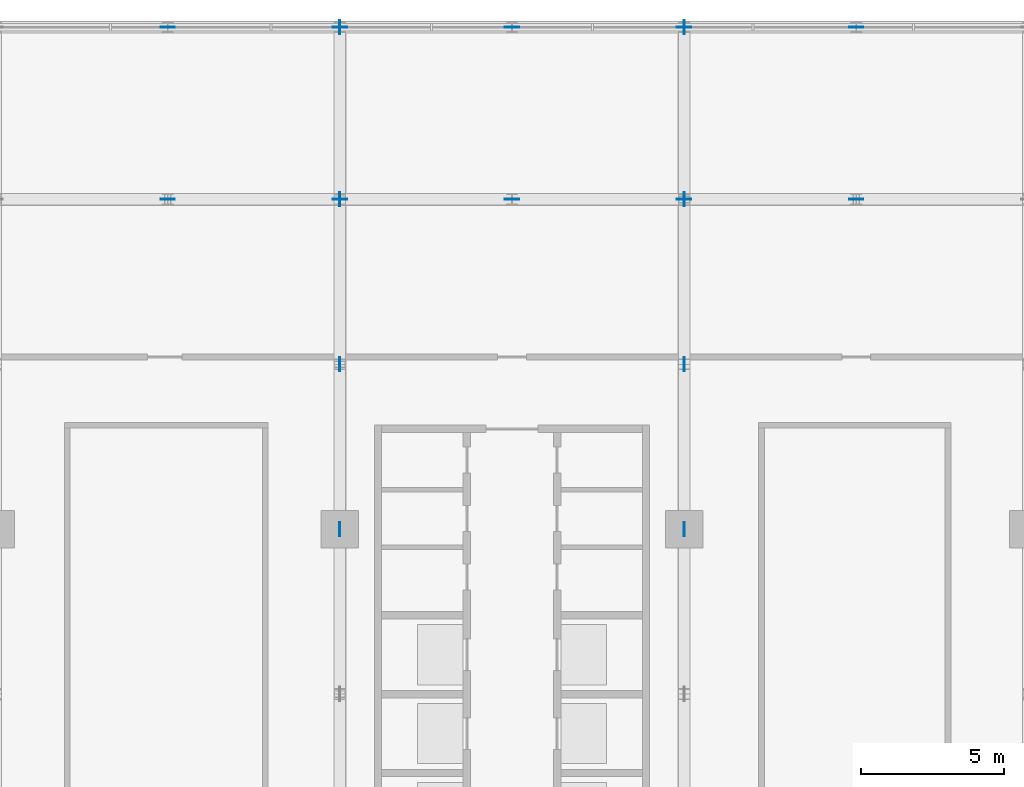
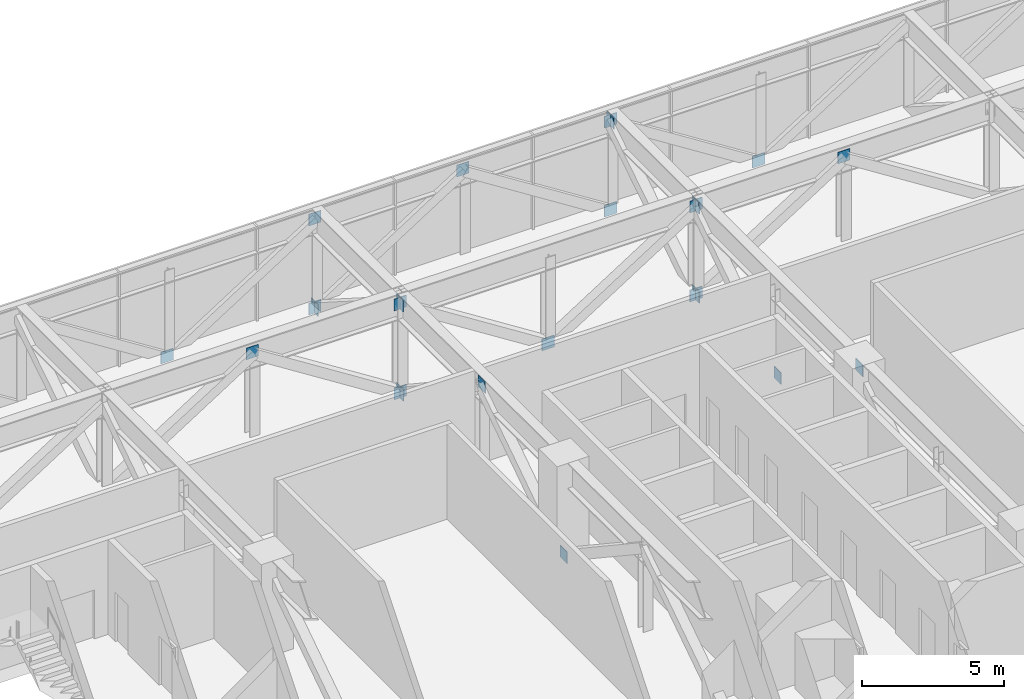
# One storey, part 25 of 30: 24 discrete accessories.
"""IFC4 building model written with IfcOpenShell, lengths in metres."""

import ifcopenshell
import ifcopenshell.guid

model = None  # the IFC model being written
_history = None  # IfcOwnerHistory: only IFC2X3 demands one
_inside = {}  # id of a spatial element -> (the spatial element, [elements in it])
_under = {}  # id of a project, library or spatial element -> (it, [spatial elements below it])
_declared = {}  # id of a project -> (the project, [libraries it declares])
_typed = {}  # id of a type object -> (the type object, [elements of that type])
_made_of = {}  # id of a material, layer set ... -> (it, [elements and type objects made of it])


def new_model(schema):
    """Start an empty IFC model of exactly this schema.

    Asked for "IFC4X3", IfcOpenShell would pick the latest addendum, in which some entities
    have other attributes; the version numbers below select the first issue.
    IFC2X3 requires an IfcOwnerHistory on every rooted entity: one is made here for all.
    """
    global model, _history
    if schema == "IFC4X3":
        model = ifcopenshell.file(schema_version=(4, 3, 0, 0))
    else:
        model = ifcopenshell.file(schema=schema)
    _inside.clear()
    _under.clear()
    _declared.clear()
    _typed.clear()
    _made_of.clear()
    _history = None
    if model.schema == "IFC2X3":
        org = make("IfcOrganization", Name="unknown")
        user = make(
            "IfcPersonAndOrganization",
            ThePerson=make("IfcPerson", FamilyName="unknown"),
            TheOrganization=org,
        )
        app = make(
            "IfcApplication",
            ApplicationDeveloper=org,
            Version="unknown",
            ApplicationFullName="unknown",
            ApplicationIdentifier="unknown",
        )
        _history = make(
            "IfcOwnerHistory",
            OwningUser=user,
            OwningApplication=app,
            ChangeAction="ADDED",
            CreationDate=0,
        )
    return model


def make(cls, **values):
    """One entity of the class cls with the attributes given. An attribute that is None is left unset."""
    return model.create_entity(
        cls, **{name: value for name, value in values.items() if value is not None}
    )


def rooted(cls, **values):
    """An entity with a GlobalId (a new one), such as an element, a storey or a relation."""
    return make(cls, GlobalId=ifcopenshell.guid.new(), OwnerHistory=_history, **values)


def si_unit(unit_type, name, prefix=None):
    """IfcSIUnit, for example si_unit("LENGTHUNIT", "METRE", prefix="MILLI")."""
    return make("IfcSIUnit", UnitType=unit_type, Prefix=prefix, Name=name)


def assignment(units):
    """IfcUnitAssignment: the units of a project."""
    return None if units is None else make("IfcUnitAssignment", Units=units)


def point(xyz):
    """IfcCartesianPoint."""
    return None if xyz is None else make("IfcCartesianPoint", Coordinates=xyz)


def direction(xyz):
    """IfcDirection."""
    return None if xyz is None else make("IfcDirection", DirectionRatios=xyz)


def frame(location, z_axis=None, x_axis=None):
    """IfcAxis2Placement3D, a coordinate frame: its origin and axes. An axis left out is left unset."""
    return make(
        "IfcAxis2Placement3D",
        Location=point(location),
        Axis=direction(z_axis),
        RefDirection=direction(x_axis),
    )


def frame_2d(location, x_axis=None):
    """IfcAxis2Placement2D, a coordinate frame in the plane: its origin and x axis."""
    return make(
        "IfcAxis2Placement2D", Location=point(location), RefDirection=direction(x_axis)
    )


def origin():
    """The frame at (0, 0, 0) with its axes left unset."""
    return frame((0.0, 0.0, 0.0))


def origin_2d():
    """The frame at (0, 0) in the plane with its x axis left unset."""
    return frame_2d((0.0, 0.0))


def place(relative_to, where):
    """IfcLocalPlacement: puts the frame where relative to a parent placement (None: the world)."""
    return make(
        "IfcLocalPlacement", PlacementRelTo=relative_to, RelativePlacement=where
    )


def context(
    kind, dimensions, precision=None, world=None, true_north=None, identifier=None
):
    """IfcGeometricRepresentationContext, for example the 3D "Model" context."""
    return make(
        "IfcGeometricRepresentationContext",
        ContextIdentifier=identifier,
        ContextType=kind,
        CoordinateSpaceDimension=dimensions,
        Precision=precision,
        WorldCoordinateSystem=world,
        TrueNorth=true_north,
    )


def subcontext(parent, identifier, kind, view, scale=None):
    """IfcGeometricRepresentationSubContext, for example "Body" below "Model"."""
    return make(
        "IfcGeometricRepresentationSubContext",
        ContextIdentifier=identifier,
        ContextType=kind,
        ParentContext=parent,
        TargetScale=scale,
        TargetView=view,
    )


def project(units=None, contexts=None):
    """IfcProject with its units and contexts."""
    return rooted(
        "IfcProject",
        Name="project",
        RepresentationContexts=contexts,
        UnitsInContext=assignment(units),
    )


def spatial(cls, under=None, at=None, **own):
    """A site, building, storey or space (cls), placed at a placement, below another one or the project."""
    s = rooted(cls, ObjectPlacement=at, **own)
    if under is not None:
        _under.setdefault(under.id(), (under, []))[1].append(s)
    return s


def profile(cls, at=None, kind="AREA", **sizes):
    """A parametric profile (cls). Its sizes go by their IFC names, for example OverallWidth=200.0."""
    return make(cls, ProfileType=kind, Position=at, **sizes)


def rectangle(**sizes):
    """IfcRectangleProfileDef."""
    return profile("IfcRectangleProfileDef", **sizes)


def extrude(swept, where, along, depth):
    """IfcExtrudedAreaSolid: the profile swept, set in the frame where, extruded along a direction by depth."""
    return make(
        "IfcExtrudedAreaSolid",
        SweptArea=swept,
        Position=where,
        ExtrudedDirection=direction(along),
        Depth=depth,
    )


def shape(context_of_items, identifier, shape_type, items):
    """IfcShapeRepresentation: the items that make up one representation, for example the "Body"."""
    return make(
        "IfcShapeRepresentation",
        ContextOfItems=context_of_items,
        RepresentationIdentifier=identifier,
        RepresentationType=shape_type,
        Items=items,
    )


def material(Name=None, Category=None):
    """IfcMaterial."""
    return make("IfcMaterial", Name=Name, Category=Category)


def layer(
    of_material, thickness, ventilated=None, Name=None, Category=None, Priority=None
):
    """IfcMaterialLayer: one layer of a wall or slab, of a material (None: an air gap)."""
    return make(
        "IfcMaterialLayer",
        Material=of_material,
        LayerThickness=thickness,
        IsVentilated=ventilated,
        Name=Name,
        Category=Category,
        Priority=Priority,
    )


def layer_set(layers, Name=None):
    """IfcMaterialLayerSet."""
    return make("IfcMaterialLayerSet", MaterialLayers=layers, LayerSetName=Name)


def made_of(thing, what):
    """Note that an element or type object is made of a material, layer set ...; save() writes the relation."""
    if what is not None:
        _made_of.setdefault(what.id(), (what, []))[1].append(thing)
    return thing


def type_object(cls, material=None, **own):
    """A type object (cls), such as IfcWallType, which elements share."""
    return made_of(rooted(cls, **own), material)


def element(
    cls,
    number,
    at=None,
    inside=None,
    cuts=None,
    type_object=None,
    material=None,
    context=None,
    identifier="Body",
    shape_type=None,
    held_by="IfcProductDefinitionShape",
    body=None,
    shapes=None,
    **own,
):
    """One element of the class cls, such as IfcWall. Its Tag is "e" and its number.

    at: its placement. inside: the storey or other place that contains it. cuts: it is an
    opening in that element (IfcRelVoidsElement). A single representation is given by context,
    identifier, shape_type and body (its items); several are given by shapes. held_by: the class
    of the entity that holds the representations. save() writes the other relations.
    """
    e = rooted(cls, Tag="e%d" % number, ObjectPlacement=at, **own)
    if body is not None:
        shapes = [shape(context, identifier, shape_type, body)]
    if shapes is not None:
        e.Representation = make(held_by, Representations=shapes)
    if inside is not None:
        _inside.setdefault(inside.id(), (inside, []))[1].append(e)
    if cuts is not None:
        rooted(
            "IfcRelVoidsElement", RelatingBuildingElement=cuts, RelatedOpeningElement=e
        )
    if type_object is not None:
        _typed.setdefault(type_object.id(), (type_object, []))[1].append(e)
    return made_of(e, material)


def aggregate(whole, parts):
    """IfcRelAggregates: a whole, such as a stair, and the parts it consists of."""
    return rooted("IfcRelAggregates", RelatingObject=whole, RelatedObjects=parts)


def save(model, path):
    """Write the relations noted so far, then the file.

    IfcRelAggregates (storeys below a building ...), IfcRelContainedInSpatialStructure (elements
    in a storey), IfcRelDefinesByType, IfcRelAssociatesMaterial and IfcRelDeclares: one each for
    every whole, place, type object, material and project.
    """
    for whole, parts in _under.values():
        aggregate(whole, parts)
    for where, things in _inside.values():
        rooted(
            "IfcRelContainedInSpatialStructure",
            RelatedElements=things,
            RelatingStructure=where,
        )
    for kind, things in _typed.values():
        rooted("IfcRelDefinesByType", RelatedObjects=things, RelatingType=kind)
    for what, things in _made_of.values():
        rooted("IfcRelAssociatesMaterial", RelatedObjects=things, RelatingMaterial=what)
    for by, libraries in _declared.values():
        rooted("IfcRelDeclares", RelatingContext=by, RelatedDefinitions=libraries)
    model.write(path)


model = new_model("IFC4")

# Units and contexts
model_context = context("Model", 3, precision=1e-05, world=origin(), true_north=direction((0.0, 1.0)))
body_context = subcontext(model_context, "Body", "Model", "MODEL_VIEW")
ifc_project = project(units=[si_unit("LENGTHUNIT", "METRE"), si_unit("AREAUNIT", "SQUARE_METRE"), si_unit("VOLUMEUNIT", "CUBIC_METRE"), si_unit("PLANEANGLEUNIT", "RADIAN"), si_unit("MASSUNIT", "GRAM", prefix="KILO")], contexts=[model_context])

# Site, building, storey
site_placement = place(None, origin())
site = spatial("IfcSite", under=ifc_project, at=site_placement, CompositionType="ELEMENT")
building_placement = place(site_placement, origin())
building = spatial("IfcBuilding", under=site, at=building_placement, Name="Mahtab Terrace Research Tower", CompositionType="ELEMENT")
storey_placement = place(building_placement, frame((0.0, 0.0, 154.800048828125)))
storey = spatial("IfcBuildingStorey", under=building, at=storey_placement, Name="L36", CompositionType="ELEMENT", Elevation=154.800048828125)

# Discrete accessories
ifc_material = material(Name="Steel ASTM A992 Gr 50", Category="steel")
ifc_layer = layer(ifc_material, 0.030029296875)
ifc_layer_set = layer_set([ifc_layer], Name="Gusset plate 500x500x30")
discrete_accessory_type = type_object("IfcDiscreteAccessoryType", Name="Gusset plate 500x500x30", PredefinedType="USERDEFINED", material=ifc_layer_set)
for number, where, z_axis, x_axis, name in (
    (1, (-12.0, 23.0, 3.251220703125), (0.0, 0.0, 1.0), (1.0, 0.0, 0.0), "Gusset plate"),
    (2, (-12.0, 29.0, -0.567626953125), (0.0, 0.0, 1.0), (1.0, 0.0, 0.0), "Gusset plate"),
    (3, (-6.0, 23.0, -0.567626953125), (0.0, 0.0, 1.0), (1.0, 0.0, 0.0), "Gusset plate"),
    (4, (-6.0, 23.0, 3.251220703125), (0.0, 0.0, 1.0), (1.0, 0.0, 0.0), "Gusset plate"),
    (5, (-6.0, 29.0, -0.567626953125), (0.0, 0.0, 1.0), (1.0, 0.0, 0.0), "Gusset plate"),
    (6, (-6.0, 29.0, 3.251220703125), (0.0, 0.0, 1.0), (1.0, 0.0, 0.0), "Gusset plate"),
    (7, (0.0, 23.0, -0.567626953125), (0.0, 0.0, 1.0), (1.0, 0.0, 0.0), "Gusset plate"),
    (8, (0.0, 29.0, 3.251220703125), (0.0, 0.0, 1.0), (1.0, 0.0, 0.0), "Gusset plate"),
    (9, (6.0, 23.0, -0.567626953125), (0.0, 0.0, 1.0), (1.0, 0.0, 0.0), "Gusset plate"),
    (10, (6.0, 23.0, 3.251220703125), (0.0, 0.0, 1.0), (1.0, 0.0, 0.0), "Gusset plate"),
    (11, (6.0, 29.0, -0.567626953125), (0.0, 0.0, 1.0), (1.0, 0.0, 0.0), "Gusset plate"),
    (12, (6.0, 29.0, 3.251220703125), (0.0, 0.0, 1.0), (1.0, 0.0, 0.0), "Gusset plate"),
    (13, (12.0, 23.0, 3.251220703125), (0.0, 0.0, 1.0), (1.0, 0.0, 0.0), "Gusset plate"),
    (14, (12.0, 29.0, -0.567626953125), (0.0, 0.0, 1.0), (1.0, 0.0, 0.0), "Gusset plate"),
    (15, (-6.0, 11.5, -0.567626953125), (0.0, 0.0, 1.0), (0.0, 1.0, 0.0), "Gusset plate"),
    (16, (-6.0, 17.25, 3.251220703125), (0.0, 0.0, 1.0), (0.0, 1.0, 0.0), "Gusset plate"),
    (17, (-6.0, 23.0, -0.567626953125), (0.0, 0.0, 1.0), (0.0, 1.0, 0.0), "Gusset plate"),
    (18, (-6.0, 23.0, 3.251220703125), (0.0, 0.0, 1.0), (0.0, 1.0, 0.0), "Gusset plate"),
    (19, (-6.0, 29.0, -0.567626953125), (0.0, 0.0, 1.0), (0.0, 1.0, 0.0), "Gusset plate"),
    (20, (6.0, 11.5, 3.251220703125), (0.0, 0.0, 1.0), (0.0, 1.0, 0.0), "Gusset plate"),
    (21, (6.0, 17.25, -0.567626953125), (0.0, 0.0, 1.0), (0.0, 1.0, 0.0), "Gusset plate"),
    (22, (6.0, 23.0, -0.567626953125), (0.0, 0.0, 1.0), (0.0, 1.0, 0.0), "Gusset plate"),
    (23, (6.0, 23.0, 3.251220703125), (0.0, 0.0, 1.0), (0.0, 1.0, 0.0), "Gusset plate"),
    (24, (6.0, 29.0, 3.251220703125), (0.0, 0.0, 1.0), (0.0, 1.0, 0.0), "Gusset plate"),
):
    element("IfcDiscreteAccessory", number, at=place(storey_placement, frame(where, z_axis=z_axis, x_axis=x_axis)), inside=storey, type_object=discrete_accessory_type, Name=name, ObjectType="GUSSET PLATE", PredefinedType="USERDEFINED", context=body_context, shape_type="SweptSolid", body=[
        extrude(rectangle(XDim=0.5, YDim=0.030029296875, at=origin_2d()), origin(), (0.0, 0.0, 1.0), 0.5),
    ])

save(model, "model.ifc")
